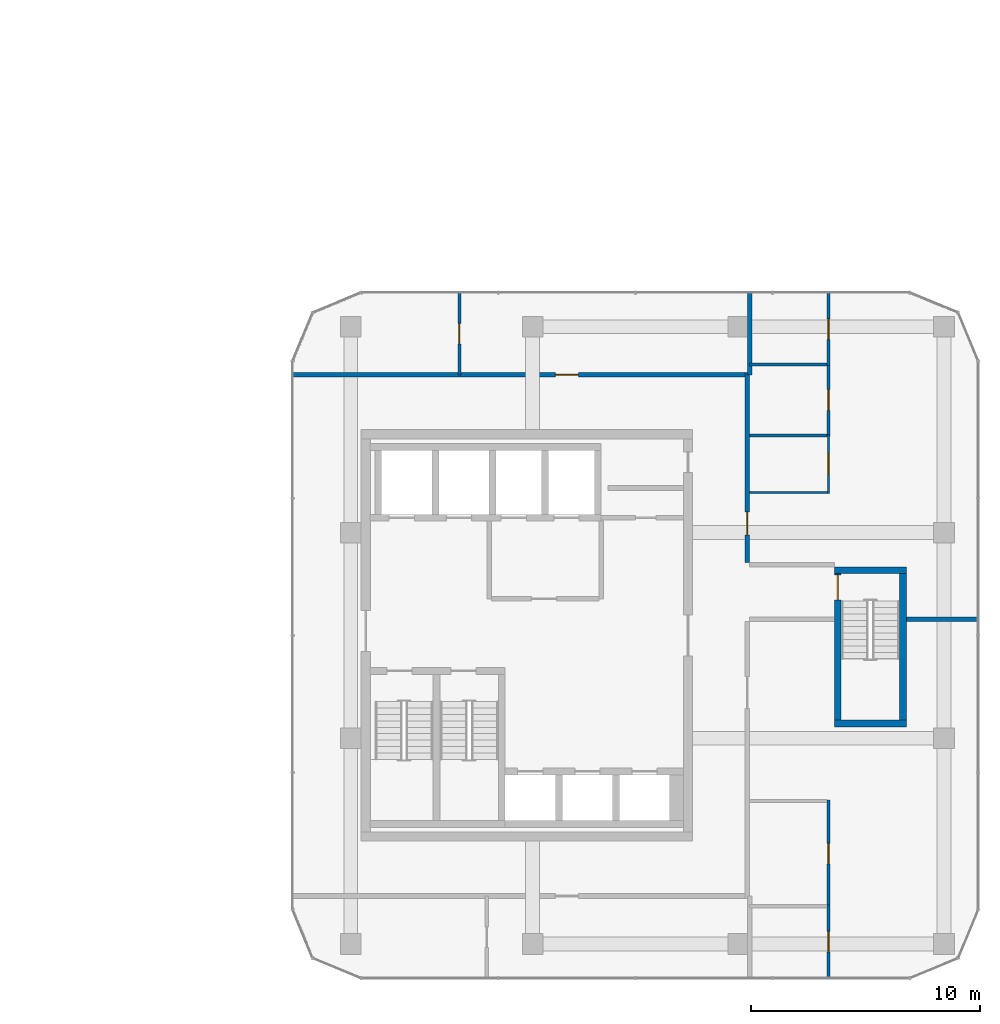
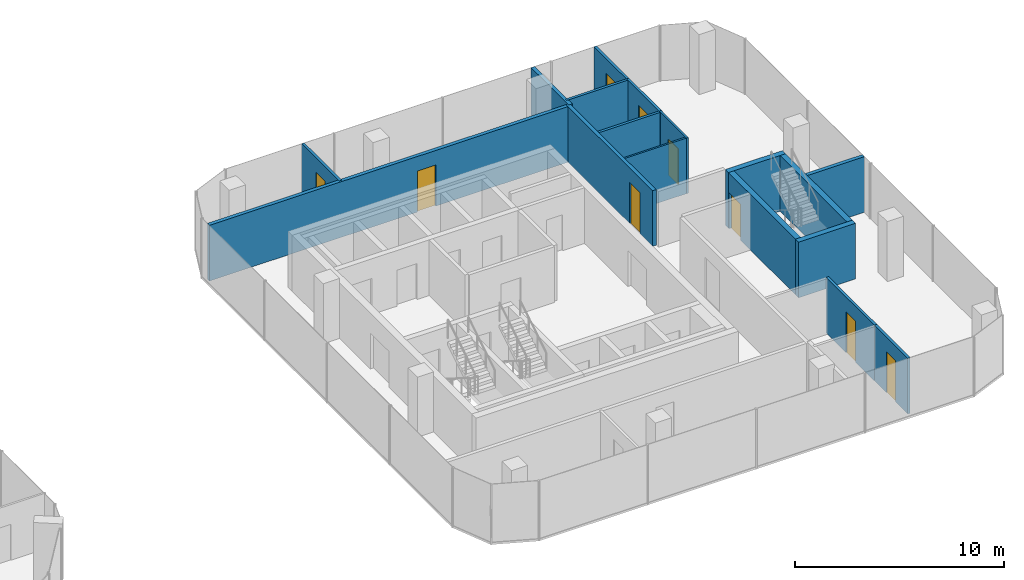
# One storey, part 18 of 22: 17 walls, 9 doors, 9 openings.
"""IFC4 building model written with IfcOpenShell, lengths in metres."""

from ifc_helpers import new_model, si_unit, direction, frame, frame_2d, origin, place, context, subcontext, project, spatial, rectangle, extrude, material, layer, layer_set, type_object, element, fill, save


model = new_model("IFC4")

# Units and contexts
model_context = context("Model", 3, precision=1e-05, world=origin(), true_north=direction((0.0, 1.0)))
body_context = subcontext(model_context, "Body", "Model", "MODEL_VIEW")
ifc_project = project(units=[si_unit("LENGTHUNIT", "METRE"), si_unit("AREAUNIT", "SQUARE_METRE"), si_unit("VOLUMEUNIT", "CUBIC_METRE"), si_unit("PLANEANGLEUNIT", "RADIAN"), si_unit("MASSUNIT", "GRAM", prefix="KILO")], contexts=[model_context])

# Site, building, storey
site_placement = place(None, origin())
site = spatial("IfcSite", under=ifc_project, at=site_placement, CompositionType="ELEMENT")
building_placement = place(site_placement, origin())
building = spatial("IfcBuilding", under=site, at=building_placement, Name="Plateau Cross Towers", CompositionType="ELEMENT")
storey_placement = place(building_placement, frame((0.0, 0.0, 109.800048828125)))
storey = spatial("IfcBuildingStorey", under=building, at=storey_placement, Name="L28", CompositionType="ELEMENT", Elevation=109.800048828125)

# Wall, opening, door
ifc_material_1 = material(Name="Concrete C60/75", Category="concrete")
ifc_layer_1 = layer(ifc_material_1, 0.300048828125)
ifc_layer_set_1 = layer_set([ifc_layer_1], Name="Concrete C60/75")
wall_type_1 = type_object("IfcWallType", Name="Core shaft wall 300", PredefinedType="SHEAR", material=ifc_layer_set_1)
wall_1_placement = place(storey_placement, frame((95.85009765625, 5.300048828125, 0.0), z_axis=(0.0, 0.0, 1.0), x_axis=(0.0, 1.0, 0.0)))
wall_1 = element("IfcWall", 1, at=wall_1_placement, inside=storey, type_object=wall_type_1, Name="B-sb3-W@L28", PredefinedType="SHEAR", context=body_context, shape_type="SweptSolid", body=[
    extrude(rectangle(XDim=6.39990234375, YDim=0.300048828125, at=frame_2d((3.199951171875, 0.0))), origin(), (0.0, 0.0, 1.0), 3.25),
])
opening_1_placement = place(wall_1_placement, frame((5.25, 0.0, 0.0)))
opening_1 = element("IfcOpeningElement", 2, at=opening_1_placement, cuts=wall_1, Name="Opening SD", PredefinedType="OPENING", context=body_context, shape_type="SweptSolid", body=[
    extrude(rectangle(XDim=1.10009765625, YDim=2.10009765625, at=frame_2d((0.550048828125, 1.050048828125))), frame((0.0, 0.159912109375, 0.0), z_axis=(0.0, -1.0, 0.0), x_axis=(1.0, 0.0, 0.0)), (0.0, 0.0, 1.0), 0.320068359375),
])
ifc_material_2 = material(Name="Steel, fire-resisting leaf", Category="steel")
door_type_1 = type_object("IfcDoorType", Name="Stair door 1100", OperationType="NOTDEFINED", PredefinedType="DOOR", material=ifc_material_2)
door_1_placement = place(opening_1_placement, origin())
door_1 = element("IfcDoor", 3, at=door_1_placement, inside=storey, type_object=door_type_1, Name="Stair door SD", OperationType="SINGLE_SWING_LEFT", OverallHeight=2.10009765625, OverallWidth=1.10009765625, PredefinedType="DOOR", context=body_context, shape_type="SweptSolid", body=[
    extrude(rectangle(XDim=1.10009765625, YDim=2.10009765625, at=frame_2d((0.550048828125, 1.050048828125))), frame((0.0, 0.02490234375, 0.0), z_axis=(0.0, -1.0, 0.0), x_axis=(1.0, 0.0, 0.0)), (0.0, 0.0, 1.0), 0.050048828125),
])
fill(opening_1, door_1)

# Walls
wall_2_placement = place(storey_placement, frame((98.699951171875, 5.300048828125, 0.0), z_axis=(0.0, 0.0, 1.0), x_axis=(0.0, 1.0, 0.0)))
element("IfcWall", 4, at=wall_2_placement, inside=storey, type_object=wall_type_1, Name="B-sb3-E@L28", PredefinedType="SHEAR", context=body_context, shape_type="SweptSolid", body=[
    extrude(rectangle(XDim=6.39990234375, YDim=0.300048828125, at=frame_2d((3.199951171875, 0.0))), origin(), (0.0, 0.0, 1.0), 3.25),
])
for number, where, z_axis, x_axis, name in (
    (5, (95.699951171875, 5.14990234375, 0.0), (0.0, 0.0, 1.0), (1.0, 0.0, 0.0), "B-sb3-S@L28"),
    (6, (95.699951171875, 11.85009765625, 0.0), (0.0, 0.0, 1.0), (1.0, 0.0, 0.0), "B-sb3-N@L28"),
):
    element("IfcWall", number, at=place(storey_placement, frame(where, z_axis=z_axis, x_axis=x_axis)), inside=storey, type_object=wall_type_1, Name=name, PredefinedType="SHEAR", context=body_context, shape_type="SweptSolid", body=[
        extrude(rectangle(XDim=3.150146484375, YDim=0.300048828125, at=frame_2d((1.5751953125, 0.0))), origin(), (0.0, 0.0, 1.0), 3.25),
    ])

# Wall, opening, door
ifc_material_3 = material(Name="Gypsum board on steel studs, two layers each side", Category="steel")
ifc_layer_2 = layer(ifc_material_3, 0.199951171875)
ifc_layer_set_2 = layer_set([ifc_layer_2], Name="Gypsum board on steel studs, two layers each side")
wall_type_2 = type_object("IfcWallType", Name="Corridor wall 200", PredefinedType="PARTITIONING", material=ifc_layer_set_2)
wall_3_placement = place(storey_placement, frame((72.0, 20.39990234375, 0.0), z_axis=(0.0, 0.0, 1.0), x_axis=(1.0, 0.0, 0.0)))
wall_3 = element("IfcWall", 7, at=wall_3_placement, inside=storey, type_object=wall_type_2, Name="Ring wall", PredefinedType="PARTITIONING", context=body_context, shape_type="SweptSolid", body=[
    extrude(rectangle(XDim=20.0, YDim=0.199951171875, at=frame_2d((10.0, 0.0))), origin(), (0.0, 0.0, 1.0), 3.25),
])
opening_2_placement = place(wall_3_placement, frame((11.5, 0.0, 0.0)))
opening_2 = element("IfcOpeningElement", 8, at=opening_2_placement, cuts=wall_3, Name="Opening D-BO10", PredefinedType="OPENING", context=body_context, shape_type="SweptSolid", body=[
    extrude(rectangle(XDim=1.0, YDim=2.39990234375, at=frame_2d((0.5, 1.199951171875))), frame((0.0, 0.10986328125, 0.0), z_axis=(0.0, -1.0, 0.0), x_axis=(1.0, 0.0, 0.0)), (0.0, 0.0, 1.0), 0.219970703125),
])
ifc_material_4 = material(Name="Fire-resisting glazed leaf in a steel frame", Category="steel")
door_type_2 = type_object("IfcDoorType", Name="Office glazed entrance leaf 1000x2400", OperationType="NOTDEFINED", PredefinedType="DOOR", material=ifc_material_4)
door_2_placement = place(opening_2_placement, origin())
door_2 = element("IfcDoor", 9, at=door_2_placement, inside=storey, type_object=door_type_2, Name="Door D-BO10", OperationType="SINGLE_SWING_LEFT", OverallHeight=2.39990234375, OverallWidth=1.0, PredefinedType="DOOR", context=body_context, shape_type="SweptSolid", body=[
    extrude(rectangle(XDim=1.0, YDim=2.39990234375, at=frame_2d((0.5, 1.199951171875))), frame((0.0, 0.02490234375, 0.0), z_axis=(0.0, -1.0, 0.0), x_axis=(1.0, 0.0, 0.0)), (0.0, 0.0, 1.0), 0.050048828125),
])
fill(opening_2, door_2)

wall_4_placement = place(storey_placement, frame((91.89990234375, 12.199951171875, 0.0), z_axis=(0.0, 0.0, 1.0), x_axis=(0.0, 1.0, 0.0)))
wall_4 = element("IfcWall", 10, at=wall_4_placement, inside=storey, type_object=wall_type_2, Name="Ring wall", PredefinedType="PARTITIONING", context=body_context, shape_type="SweptSolid", body=[
    extrude(rectangle(XDim=8.300048828125, YDim=0.199951171875, at=frame_2d((4.14990234375, 0.0))), origin(), (0.0, 0.0, 1.0), 3.25),
])
opening_3_placement = place(wall_4_placement, frame((1.199951171875, 0.0, 0.0)))
opening_3 = element("IfcOpeningElement", 11, at=opening_3_placement, cuts=wall_4, Name="Opening D-BO10", PredefinedType="OPENING", context=body_context, shape_type="SweptSolid", body=[
    extrude(rectangle(XDim=1.0, YDim=2.39990234375, at=frame_2d((0.5, 1.199951171875))), frame((0.0, 0.10986328125, 0.0), z_axis=(0.0, -1.0, 0.0), x_axis=(1.0, 0.0, 0.0)), (0.0, 0.0, 1.0), 0.219970703125),
])
door_3_placement = place(opening_3_placement, origin())
door_3 = element("IfcDoor", 12, at=door_3_placement, inside=storey, type_object=door_type_2, Name="Door D-BO10", OperationType="SINGLE_SWING_LEFT", OverallHeight=2.39990234375, OverallWidth=1.0, PredefinedType="DOOR", context=body_context, shape_type="SweptSolid", body=[
    extrude(rectangle(XDim=1.0, YDim=2.39990234375, at=frame_2d((0.5, 1.199951171875))), frame((0.0, 0.02490234375, 0.0), z_axis=(0.0, -1.0, 0.0), x_axis=(1.0, 0.0, 0.0)), (0.0, 0.0, 1.0), 0.050048828125),
])
fill(opening_3, door_3)

ifc_material_5 = material(Name="Gypsum board on staggered steel studs, mineral wool, two layers each side", Category="steel")
ifc_layer_3 = layer(ifc_material_5, 0.139892578125)
ifc_layer_set_3 = layer_set([ifc_layer_3], Name="Gypsum board on staggered steel studs, mineral wool, two layers each side")
wall_type_3 = type_object("IfcWallType", Name="Meeting room acoustic partition 140", PredefinedType="PARTITIONING", material=ifc_layer_set_3)
wall_5_placement = place(storey_placement, frame((95.449951171875, -6.0, 0.0), z_axis=(0.0, 0.0, 1.0), x_axis=(0.0, 1.0, 0.0)))
wall_5 = element("IfcWall", 13, at=wall_5_placement, inside=storey, type_object=wall_type_3, Name="Acoustic wall", PredefinedType="PARTITIONING", context=body_context, shape_type="SweptSolid", body=[
    extrude(rectangle(XDim=3.199951171875, YDim=0.139892578125, at=frame_2d((1.60009765625, 0.0))), origin(), (0.0, 0.0, 1.0), 3.25),
])
opening_4_placement = place(wall_5_placement, frame((1.14990234375, 0.0, 0.0)))
opening_4 = element("IfcOpeningElement", 14, at=opening_4_placement, cuts=wall_5, Name="Opening D-BM9", PredefinedType="OPENING", context=body_context, shape_type="SweptSolid", body=[
    extrude(rectangle(XDim=0.89990234375, YDim=2.39990234375, at=frame_2d((0.449951171875, 1.199951171875))), frame((0.0, 0.079833984375, 0.0), z_axis=(0.0, -1.0, 0.0), x_axis=(1.0, 0.0, 0.0)), (0.0, 0.0, 1.0), 0.159912109375),
])
ifc_material_6 = material(Name="Timber leaf, full height", Category="wood")
door_type_3 = type_object("IfcDoorType", Name="Meeting room door 900x2400", OperationType="NOTDEFINED", PredefinedType="DOOR", material=ifc_material_6)
door_4_placement = place(opening_4_placement, origin())
door_4 = element("IfcDoor", 15, at=door_4_placement, inside=storey, type_object=door_type_3, Name="Door D-BM9", OperationType="SINGLE_SWING_LEFT", OverallHeight=2.39990234375, OverallWidth=0.89990234375, PredefinedType="DOOR", context=body_context, shape_type="SweptSolid", body=[
    extrude(rectangle(XDim=0.89990234375, YDim=2.39990234375, at=frame_2d((0.449951171875, 1.199951171875))), frame((0.0, 0.02490234375, 0.0), z_axis=(0.0, -1.0, 0.0), x_axis=(1.0, 0.0, 0.0)), (0.0, 0.0, 1.0), 0.050048828125),
])
fill(opening_4, door_4)

wall_6_placement = place(storey_placement, frame((95.449951171875, -2.89990234375, 0.0), z_axis=(0.0, 0.0, 1.0), x_axis=(0.0, 1.0, 0.0)))
wall_6 = element("IfcWall", 16, at=wall_6_placement, inside=storey, type_object=wall_type_3, Name="Acoustic wall", PredefinedType="PARTITIONING", context=body_context, shape_type="SweptSolid", body=[
    extrude(rectangle(XDim=4.699951171875, YDim=0.139892578125, at=frame_2d((2.35009765625, 0.0))), origin(), (0.0, 0.0, 1.0), 3.25),
])
opening_5_placement = place(wall_6_placement, frame((1.89990234375, 0.0, 0.0)))
opening_5 = element("IfcOpeningElement", 17, at=opening_5_placement, cuts=wall_6, Name="Opening D-BM9", PredefinedType="OPENING", context=body_context, shape_type="SweptSolid", body=[
    extrude(rectangle(XDim=0.89990234375, YDim=2.39990234375, at=frame_2d((0.449951171875, 1.199951171875))), frame((0.0, 0.079833984375, 0.0), z_axis=(0.0, -1.0, 0.0), x_axis=(1.0, 0.0, 0.0)), (0.0, 0.0, 1.0), 0.159912109375),
])
door_5_placement = place(opening_5_placement, origin())
door_5 = element("IfcDoor", 18, at=door_5_placement, inside=storey, type_object=door_type_3, Name="Door D-BM9", OperationType="SINGLE_SWING_LEFT", OverallHeight=2.39990234375, OverallWidth=0.89990234375, PredefinedType="DOOR", context=body_context, shape_type="SweptSolid", body=[
    extrude(rectangle(XDim=0.89990234375, YDim=2.39990234375, at=frame_2d((0.449951171875, 1.199951171875))), frame((0.0, 0.02490234375, 0.0), z_axis=(0.0, -1.0, 0.0), x_axis=(1.0, 0.0, 0.0)), (0.0, 0.0, 1.0), 0.050048828125),
])
fill(opening_5, door_5)

wall_7_placement = place(storey_placement, frame((95.449951171875, 20.800048828125, 0.0), z_axis=(0.0, 0.0, 1.0), x_axis=(0.0, 1.0, 0.0)))
wall_7 = element("IfcWall", 19, at=wall_7_placement, inside=storey, type_object=wall_type_3, Name="Acoustic wall", PredefinedType="PARTITIONING", context=body_context, shape_type="SweptSolid", body=[
    extrude(rectangle(XDim=3.199951171875, YDim=0.139892578125, at=frame_2d((1.60009765625, 0.0))), origin(), (0.0, 0.0, 1.0), 3.25),
])
opening_6_placement = place(wall_7_placement, frame((1.14990234375, 0.0, 0.0)))
opening_6 = element("IfcOpeningElement", 20, at=opening_6_placement, cuts=wall_7, Name="Opening D-BM9", PredefinedType="OPENING", context=body_context, shape_type="SweptSolid", body=[
    extrude(rectangle(XDim=0.89990234375, YDim=2.39990234375, at=frame_2d((0.449951171875, 1.199951171875))), frame((0.0, 0.079833984375, 0.0), z_axis=(0.0, -1.0, 0.0), x_axis=(1.0, 0.0, 0.0)), (0.0, 0.0, 1.0), 0.159912109375),
])
door_6_placement = place(opening_6_placement, origin())
door_6 = element("IfcDoor", 21, at=door_6_placement, inside=storey, type_object=door_type_3, Name="Door D-BM9", OperationType="SINGLE_SWING_LEFT", OverallHeight=2.39990234375, OverallWidth=0.89990234375, PredefinedType="DOOR", context=body_context, shape_type="SweptSolid", body=[
    extrude(rectangle(XDim=0.89990234375, YDim=2.39990234375, at=frame_2d((0.449951171875, 1.199951171875))), frame((0.0, 0.02490234375, 0.0), z_axis=(0.0, -1.0, 0.0), x_axis=(1.0, 0.0, 0.0)), (0.0, 0.0, 1.0), 0.050048828125),
])
fill(opening_6, door_6)

# Wall
wall_8_placement = place(storey_placement, frame((92.0, 20.85009765625, 0.0), z_axis=(0.0, 0.0, 1.0), x_axis=(1.0, 0.0, 0.0)))
element("IfcWall", 22, at=wall_8_placement, inside=storey, type_object=wall_type_3, Name="Acoustic wall", PredefinedType="PARTITIONING", context=body_context, shape_type="SweptSolid", body=[
    extrude(rectangle(XDim=3.3798828125, YDim=0.139892578125, at=frame_2d((1.68994140625, 0.0))), origin(), (0.0, 0.0, 1.0), 3.25),
])

# Wall, opening, door
wall_9_placement = place(storey_placement, frame((95.449951171875, 17.699951171875, 0.0), z_axis=(0.0, 0.0, 1.0), x_axis=(0.0, 1.0, 0.0)))
wall_9 = element("IfcWall", 23, at=wall_9_placement, inside=storey, type_object=wall_type_3, Name="Acoustic wall", PredefinedType="PARTITIONING", context=body_context, shape_type="SweptSolid", body=[
    extrude(rectangle(XDim=3.199951171875, YDim=0.139892578125, at=frame_2d((1.60009765625, 0.0))), origin(), (0.0, 0.0, 1.0), 3.25),
])
opening_7_placement = place(wall_9_placement, frame((1.14990234375, 0.0, 0.0)))
opening_7 = element("IfcOpeningElement", 24, at=opening_7_placement, cuts=wall_9, Name="Opening D-BM9", PredefinedType="OPENING", context=body_context, shape_type="SweptSolid", body=[
    extrude(rectangle(XDim=0.89990234375, YDim=2.39990234375, at=frame_2d((0.449951171875, 1.199951171875))), frame((0.0, 0.079833984375, 0.0), z_axis=(0.0, -1.0, 0.0), x_axis=(1.0, 0.0, 0.0)), (0.0, 0.0, 1.0), 0.159912109375),
])
door_7_placement = place(opening_7_placement, origin())
door_7 = element("IfcDoor", 25, at=door_7_placement, inside=storey, type_object=door_type_3, Name="Door D-BM9", OperationType="SINGLE_SWING_LEFT", OverallHeight=2.39990234375, OverallWidth=0.89990234375, PredefinedType="DOOR", context=body_context, shape_type="SweptSolid", body=[
    extrude(rectangle(XDim=0.89990234375, YDim=2.39990234375, at=frame_2d((0.449951171875, 1.199951171875))), frame((0.0, 0.02490234375, 0.0), z_axis=(0.0, -1.0, 0.0), x_axis=(1.0, 0.0, 0.0)), (0.0, 0.0, 1.0), 0.050048828125),
])
fill(opening_7, door_7)

# Wall
wall_10_placement = place(storey_placement, frame((92.0, 17.75, 0.0), z_axis=(0.0, 0.0, 1.0), x_axis=(1.0, 0.0, 0.0)))
element("IfcWall", 26, at=wall_10_placement, inside=storey, type_object=wall_type_3, Name="Acoustic wall", PredefinedType="PARTITIONING", context=body_context, shape_type="SweptSolid", body=[
    extrude(rectangle(XDim=3.3798828125, YDim=0.139892578125, at=frame_2d((1.68994140625, 0.0))), origin(), (0.0, 0.0, 1.0), 3.25),
])

# Wall, opening, door
wall_11_placement = place(storey_placement, frame((79.300048828125, 20.39990234375, 0.0), z_axis=(0.0, 0.0, 1.0), x_axis=(0.0, 1.0, 0.0)))
wall_11 = element("IfcWall", 27, at=wall_11_placement, inside=storey, type_object=wall_type_3, Name="Acoustic wall", PredefinedType="PARTITIONING", context=body_context, shape_type="SweptSolid", body=[
    extrude(rectangle(XDim=3.60009765625, YDim=0.139892578125, at=frame_2d((1.800048828125, 0.0))), origin(), (0.0, 0.0, 1.0), 3.25),
])
opening_8_placement = place(wall_11_placement, frame((1.35009765625, 0.0, 0.0)))
opening_8 = element("IfcOpeningElement", 28, at=opening_8_placement, cuts=wall_11, Name="Opening D-BM9", PredefinedType="OPENING", context=body_context, shape_type="SweptSolid", body=[
    extrude(rectangle(XDim=0.89990234375, YDim=2.39990234375, at=frame_2d((0.449951171875, 1.199951171875))), frame((0.0, 0.079833984375, 0.0), z_axis=(0.0, -1.0, 0.0), x_axis=(1.0, 0.0, 0.0)), (0.0, 0.0, 1.0), 0.159912109375),
])
door_8_placement = place(opening_8_placement, origin())
door_8 = element("IfcDoor", 29, at=door_8_placement, inside=storey, type_object=door_type_3, Name="Door D-BM9", OperationType="SINGLE_SWING_LEFT", OverallHeight=2.39990234375, OverallWidth=0.89990234375, PredefinedType="DOOR", context=body_context, shape_type="SweptSolid", body=[
    extrude(rectangle(XDim=0.89990234375, YDim=2.39990234375, at=frame_2d((0.449951171875, 1.199951171875))), frame((0.0, 0.02490234375, 0.0), z_axis=(0.0, -1.0, 0.0), x_axis=(1.0, 0.0, 0.0)), (0.0, 0.0, 1.0), 0.050048828125),
])
fill(opening_8, door_8)

ifc_material_7 = material(Name="Gypsum board on steel studs", Category="steel")
ifc_layer_4 = layer(ifc_material_7, 0.10009765625)
ifc_layer_set_4 = layer_set([ifc_layer_4], Name="Gypsum board on steel studs")
wall_type_4 = type_object("IfcWallType", Name="Office partition 100", PredefinedType="PARTITIONING", material=ifc_layer_set_4)
wall_12_placement = place(storey_placement, frame((95.449951171875, 15.199951171875, 0.0), z_axis=(0.0, 0.0, 1.0), x_axis=(0.0, 1.0, 0.0)))
wall_12 = element("IfcWall", 30, at=wall_12_placement, inside=storey, type_object=wall_type_4, Name="Part wall", PredefinedType="PARTITIONING", context=body_context, shape_type="SweptSolid", body=[
    extrude(rectangle(XDim=2.60009765625, YDim=0.10009765625, at=frame_2d((1.300048828125, 0.0))), origin(), (0.0, 0.0, 1.0), 3.25),
])
opening_9_placement = place(wall_12_placement, frame((0.85009765625, 0.0, 0.0)))
opening_9 = element("IfcOpeningElement", 31, at=opening_9_placement, cuts=wall_12, Name="Opening D-BR9", PredefinedType="OPENING", context=body_context, shape_type="SweptSolid", body=[
    extrude(rectangle(XDim=0.89990234375, YDim=2.10009765625, at=frame_2d((0.449951171875, 1.050048828125))), frame((0.0, 0.06005859375, 0.0), z_axis=(0.0, -1.0, 0.0), x_axis=(1.0, 0.0, 0.0)), (0.0, 0.0, 1.0), 0.1201171875),
])
ifc_material_8 = material(Name="Timber leaf", Category="wood")
door_type_4 = type_object("IfcDoorType", Name="Office room door 900", OperationType="NOTDEFINED", PredefinedType="DOOR", material=ifc_material_8)
door_9_placement = place(opening_9_placement, origin())
door_9 = element("IfcDoor", 32, at=door_9_placement, inside=storey, type_object=door_type_4, Name="Door D-BR9", OperationType="SINGLE_SWING_LEFT", OverallHeight=2.10009765625, OverallWidth=0.89990234375, PredefinedType="DOOR", context=body_context, shape_type="SweptSolid", body=[
    extrude(rectangle(XDim=0.89990234375, YDim=2.10009765625, at=frame_2d((0.449951171875, 1.050048828125))), frame((0.0, 0.02490234375, 0.0), z_axis=(0.0, -1.0, 0.0), x_axis=(1.0, 0.0, 0.0)), (0.0, 0.0, 1.0), 0.050048828125),
])
fill(opening_9, door_9)

# Walls
wall_13_placement = place(storey_placement, frame((92.0, 15.25, 0.0), z_axis=(0.0, 0.0, 1.0), x_axis=(1.0, 0.0, 0.0)))
element("IfcWall", 33, at=wall_13_placement, inside=storey, type_object=wall_type_4, Name="Part wall", PredefinedType="PARTITIONING", context=body_context, shape_type="SweptSolid", body=[
    extrude(rectangle(XDim=3.39990234375, YDim=0.10009765625, at=frame_2d((1.699951171875, 0.0))), origin(), (0.0, 0.0, 1.0), 3.25),
])
ifc_layer_5 = layer(ifc_material_3, 0.199951171875)
ifc_layer_set_5 = layer_set([ifc_layer_5], Name="Gypsum board on steel studs, two layers each side")
wall_type_5 = type_object("IfcWallType", Name="Tenancy demising wall 200", PredefinedType="PARTITIONING", material=ifc_layer_set_5)
wall_14_placement = place(storey_placement, frame((98.85009765625, 9.699951171875, 0.0), z_axis=(0.0, 0.0, 1.0), x_axis=(1.0, 0.0, 0.0)))
element("IfcWall", 34, at=wall_14_placement, inside=storey, type_object=wall_type_5, Name="Demising wall", PredefinedType="PARTITIONING", context=body_context, shape_type="SweptSolid", body=[
    extrude(rectangle(XDim=3.14990234375, YDim=0.199951171875, at=frame_2d((1.574951171875, 0.0))), origin(), (0.0, 0.0, 1.0), 3.25),
])
wall_15_placement = place(storey_placement, frame((92.0, 20.39990234375, 0.0), z_axis=(0.0, 0.0, 1.0), x_axis=(0.0, 1.0, 0.0)))
element("IfcWall", 35, at=wall_15_placement, inside=storey, type_object=wall_type_5, Name="Demising wall", PredefinedType="PARTITIONING", context=body_context, shape_type="SweptSolid", body=[
    extrude(rectangle(XDim=3.60009765625, YDim=0.199951171875, at=frame_2d((1.800048828125, 0.0))), origin(), (0.0, 0.0, 1.0), 3.25),
])

save(model, "model.ifc")
